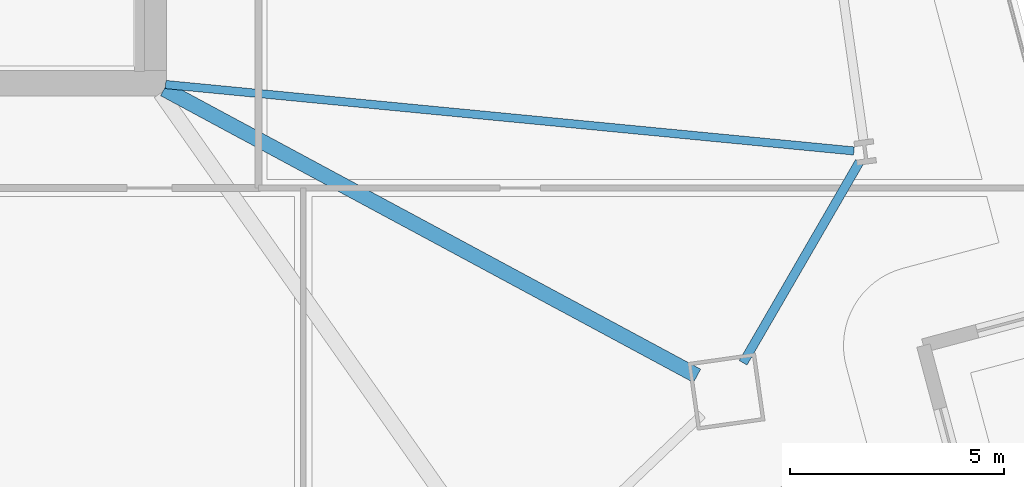
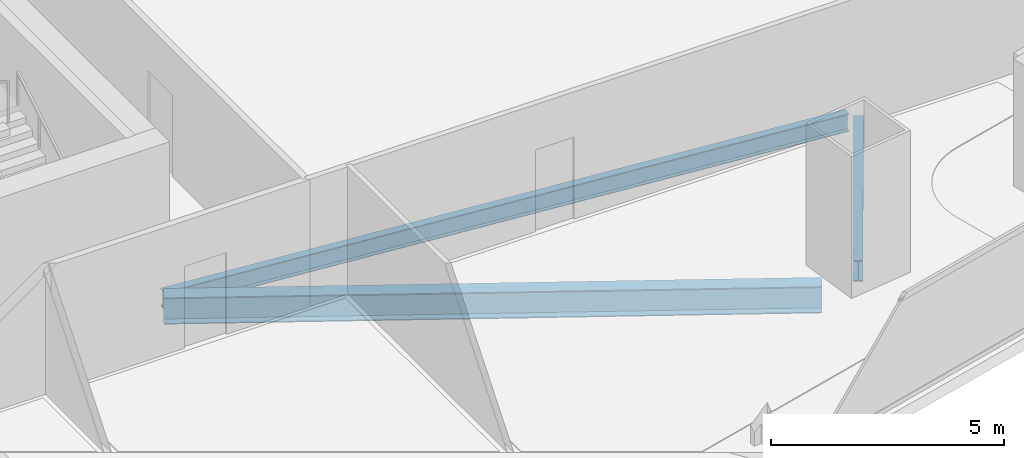
# One storey, part 11 of 33: 3 beams.
"""IFC4 building model written with IfcOpenShell, lengths in metres."""

from ifc_helpers import new_model, si_unit, direction, frame, origin, origin_2d, place, context, subcontext, project, spatial, i_section, extrude, material, material_profile, profile_set, type_object, element, save


model = new_model("IFC4")

# Units and contexts
model_context = context("Model", 3, precision=1e-05, world=origin(), true_north=direction((0.0, 1.0)))
body_context = subcontext(model_context, "Body", "Model", "MODEL_VIEW")
ifc_project = project(units=[si_unit("LENGTHUNIT", "METRE"), si_unit("AREAUNIT", "SQUARE_METRE"), si_unit("VOLUMEUNIT", "CUBIC_METRE"), si_unit("PLANEANGLEUNIT", "RADIAN"), si_unit("MASSUNIT", "GRAM", prefix="KILO")], contexts=[model_context])

# Site, building, storey
site_placement = place(None, origin())
site = spatial("IfcSite", under=ifc_project, at=site_placement, CompositionType="ELEMENT")
building_placement = place(site_placement, origin())
building = spatial("IfcBuilding", under=site, at=building_placement, Name="Haldenkirk Collegiate Tower", CompositionType="ELEMENT")
storey_placement = place(building_placement, frame((0.0, 0.0, 77.699951171875)))
storey = spatial("IfcBuildingStorey", under=building, at=storey_placement, Name="L18", CompositionType="ELEMENT", Elevation=77.699951171875)

# Beams
ifc_material = material(Name="Steel ASTM A992 Grade 50", Category="steel")
ifc_material_profile_1 = material_profile(ifc_material, i_section(OverallWidth=0.35498046875, OverallDepth=0.696044921875, WebThickness=0.015380859375, FlangeThickness=0.02490234375, at=origin_2d()), Name="W27X146")
ifc_profile_set_1 = profile_set([ifc_material_profile_1], Name="Steel ASTM A992 Grade 50")
beam_type_1 = type_object("IfcBeamType", Name="BM-GIRDER-W27X146", PredefinedType="BEAM", material=ifc_profile_set_1)
beam_1_placement = place(storey_placement, frame((57.71435546875, 11.15673828125, -0.657958984375), z_axis=(-0.880558564783, 0.473937352386, 0.0), x_axis=(-0.473937352386, -0.880558564783, 0.0)))
element("IfcBeam", 1, at=beam_1_placement, inside=storey, type_object=beam_type_1, Name="L18 primary floor girder 02", PredefinedType="BEAM", context=body_context, shape_type="SweptSolid", body=[
    extrude(i_section(OverallWidth=0.35498046875, OverallDepth=0.696044921875, WebThickness=0.015380859375, FlangeThickness=0.02490234375, at=origin_2d()), origin(), (0.0, 0.0, 1.0), 14.158935546875),
])
ifc_material_profile_2 = material_profile(ifc_material, i_section(OverallWidth=0.19189453125, OverallDepth=0.462890625, WebThickness=0.010498046875, FlangeThickness=0.017578125, at=origin_2d()), Name="W18X60")
ifc_profile_set_2 = profile_set([ifc_material_profile_2], Name="Steel ASTM A992 Grade 50")
beam_type_2 = type_object("IfcBeamType", Name="BM-JOIST-W18X60", PredefinedType="JOIST", material=ifc_profile_set_2)
beam_2_placement = place(storey_placement, frame((61.384765625, 16.41845703125, -0.54150390625), z_axis=(-0.995373409832, 0.096082126327, 0.0), x_axis=(-0.096082126327, -0.995373409832, 0.0)))
element("IfcBeam", 2, at=beam_2_placement, inside=storey, type_object=beam_type_2, Name="L18 composite floor joist 08", PredefinedType="JOIST", context=body_context, shape_type="SweptSolid", body=[
    extrude(i_section(OverallWidth=0.19189453125, OverallDepth=0.462890625, WebThickness=0.010498046875, FlangeThickness=0.017578125, at=origin_2d()), origin(), (0.0, 0.0, 1.0), 16.180908203125),
])
ifc_material_profile_3 = material_profile(ifc_material, i_section(OverallWidth=0.2119140625, OverallDepth=0.5439453125, WebThickness=0.01318359375, FlangeThickness=0.021240234375, at=origin_2d()), Name="W21X83")
ifc_profile_set_3 = profile_set([ifc_material_profile_3], Name="Steel ASTM A992 Grade 50")
beam_type_3 = type_object("IfcBeamType", Name="BM-SPANDREL-W21X83", PredefinedType="SPANDREL", material=ifc_profile_set_3)
beam_3_placement = place(storey_placement, frame((58.7919921875, 11.462158203125, -0.58203125), z_axis=(0.50120629055, 0.865327830543, 0.0), x_axis=(-0.865327830543, 0.50120629055, 0.0)))
element("IfcBeam", 3, at=beam_3_placement, inside=storey, type_object=beam_type_3, Name="L18 perimeter spandrel beam 05", PredefinedType="SPANDREL", context=body_context, shape_type="SweptSolid", body=[
    extrude(i_section(OverallWidth=0.2119140625, OverallDepth=0.5439453125, WebThickness=0.01318359375, FlangeThickness=0.021240234375, at=origin_2d()), origin(), (0.0, 0.0, 1.0), 5.43359375),
])

save(model, "model.ifc")
